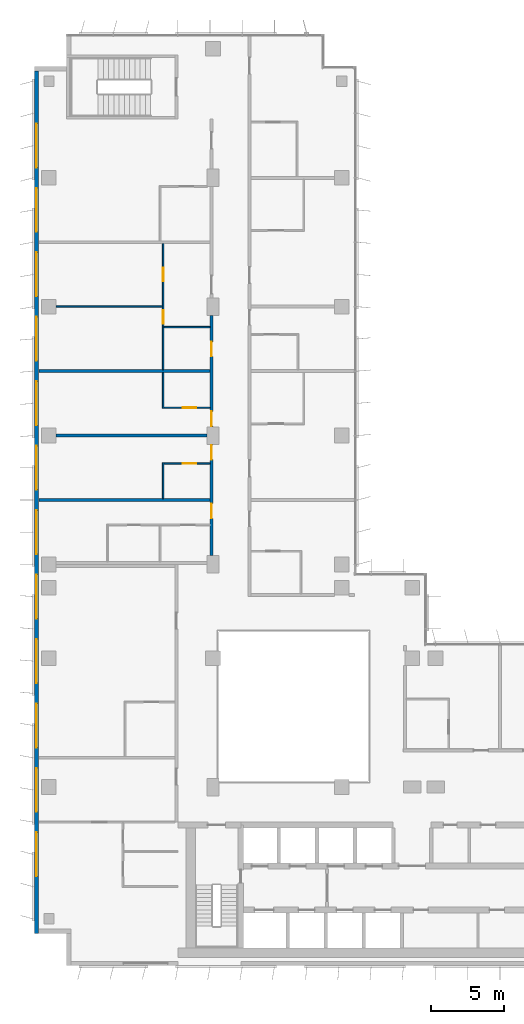
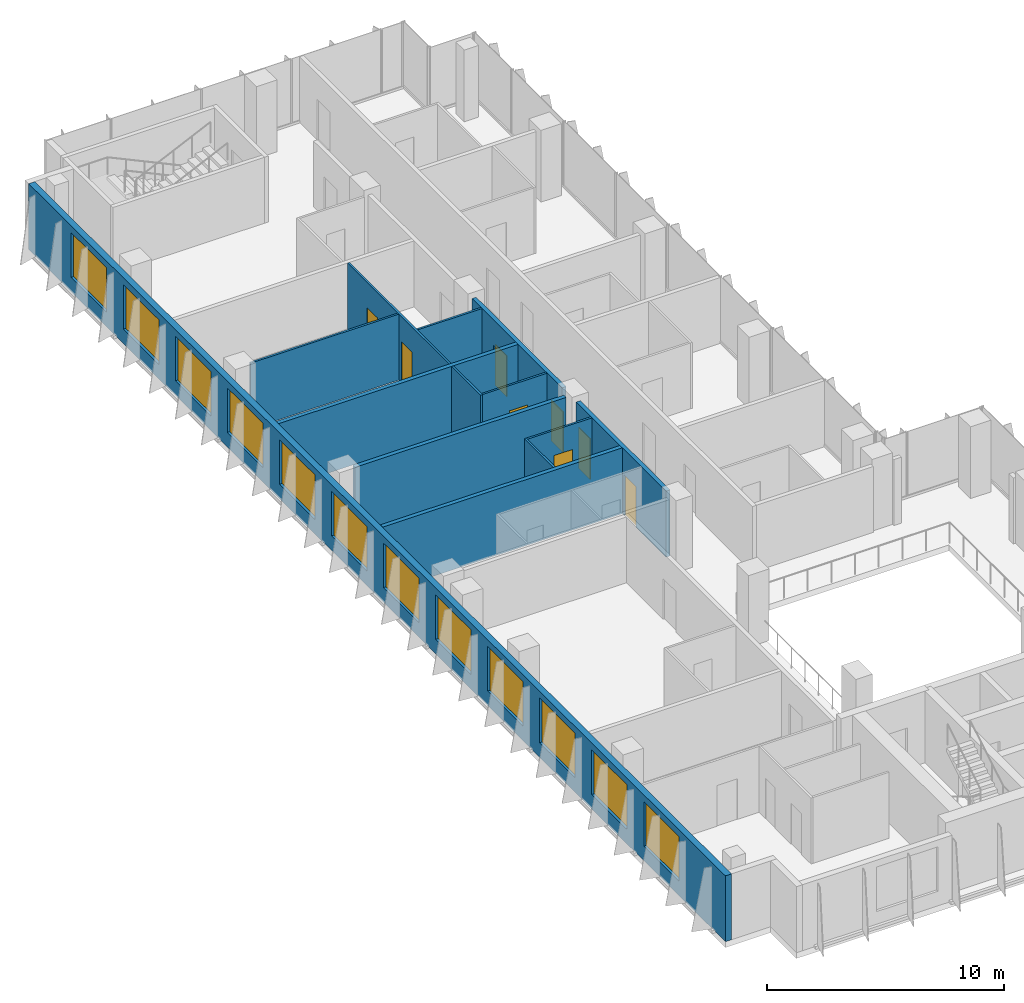
# One storey, part 16 of 21: 13 walls, 12 windows, 8 doors, 20 openings.
"""IFC4 building model written with IfcOpenShell, lengths in metres."""

import ifcopenshell
import ifcopenshell.guid

model = None  # the IFC model being written
_history = None  # IfcOwnerHistory: only IFC2X3 demands one
_inside = {}  # id of a spatial element -> (the spatial element, [elements in it])
_under = {}  # id of a project, library or spatial element -> (it, [spatial elements below it])
_declared = {}  # id of a project -> (the project, [libraries it declares])
_typed = {}  # id of a type object -> (the type object, [elements of that type])
_made_of = {}  # id of a material, layer set ... -> (it, [elements and type objects made of it])


def new_model(schema):
    """Start an empty IFC model of exactly this schema.

    Asked for "IFC4X3", IfcOpenShell would pick the latest addendum, in which some entities
    have other attributes; the version numbers below select the first issue.
    IFC2X3 requires an IfcOwnerHistory on every rooted entity: one is made here for all.
    """
    global model, _history
    if schema == "IFC4X3":
        model = ifcopenshell.file(schema_version=(4, 3, 0, 0))
    else:
        model = ifcopenshell.file(schema=schema)
    _inside.clear()
    _under.clear()
    _declared.clear()
    _typed.clear()
    _made_of.clear()
    _history = None
    if model.schema == "IFC2X3":
        org = make("IfcOrganization", Name="unknown")
        user = make(
            "IfcPersonAndOrganization",
            ThePerson=make("IfcPerson", FamilyName="unknown"),
            TheOrganization=org,
        )
        app = make(
            "IfcApplication",
            ApplicationDeveloper=org,
            Version="unknown",
            ApplicationFullName="unknown",
            ApplicationIdentifier="unknown",
        )
        _history = make(
            "IfcOwnerHistory",
            OwningUser=user,
            OwningApplication=app,
            ChangeAction="ADDED",
            CreationDate=0,
        )
    return model


def make(cls, **values):
    """One entity of the class cls with the attributes given. An attribute that is None is left unset."""
    return model.create_entity(
        cls, **{name: value for name, value in values.items() if value is not None}
    )


def rooted(cls, **values):
    """An entity with a GlobalId (a new one), such as an element, a storey or a relation."""
    return make(cls, GlobalId=ifcopenshell.guid.new(), OwnerHistory=_history, **values)


def si_unit(unit_type, name, prefix=None):
    """IfcSIUnit, for example si_unit("LENGTHUNIT", "METRE", prefix="MILLI")."""
    return make("IfcSIUnit", UnitType=unit_type, Prefix=prefix, Name=name)


def assignment(units):
    """IfcUnitAssignment: the units of a project."""
    return None if units is None else make("IfcUnitAssignment", Units=units)


def point(xyz):
    """IfcCartesianPoint."""
    return None if xyz is None else make("IfcCartesianPoint", Coordinates=xyz)


def direction(xyz):
    """IfcDirection."""
    return None if xyz is None else make("IfcDirection", DirectionRatios=xyz)


def frame(location, z_axis=None, x_axis=None):
    """IfcAxis2Placement3D, a coordinate frame: its origin and axes. An axis left out is left unset."""
    return make(
        "IfcAxis2Placement3D",
        Location=point(location),
        Axis=direction(z_axis),
        RefDirection=direction(x_axis),
    )


def frame_2d(location, x_axis=None):
    """IfcAxis2Placement2D, a coordinate frame in the plane: its origin and x axis."""
    return make(
        "IfcAxis2Placement2D", Location=point(location), RefDirection=direction(x_axis)
    )


def origin():
    """The frame at (0, 0, 0) with its axes left unset."""
    return frame((0.0, 0.0, 0.0))


def place(relative_to, where):
    """IfcLocalPlacement: puts the frame where relative to a parent placement (None: the world)."""
    return make(
        "IfcLocalPlacement", PlacementRelTo=relative_to, RelativePlacement=where
    )


def context(
    kind, dimensions, precision=None, world=None, true_north=None, identifier=None
):
    """IfcGeometricRepresentationContext, for example the 3D "Model" context."""
    return make(
        "IfcGeometricRepresentationContext",
        ContextIdentifier=identifier,
        ContextType=kind,
        CoordinateSpaceDimension=dimensions,
        Precision=precision,
        WorldCoordinateSystem=world,
        TrueNorth=true_north,
    )


def subcontext(parent, identifier, kind, view, scale=None):
    """IfcGeometricRepresentationSubContext, for example "Body" below "Model"."""
    return make(
        "IfcGeometricRepresentationSubContext",
        ContextIdentifier=identifier,
        ContextType=kind,
        ParentContext=parent,
        TargetScale=scale,
        TargetView=view,
    )


def project(units=None, contexts=None):
    """IfcProject with its units and contexts."""
    return rooted(
        "IfcProject",
        Name="project",
        RepresentationContexts=contexts,
        UnitsInContext=assignment(units),
    )


def spatial(cls, under=None, at=None, **own):
    """A site, building, storey or space (cls), placed at a placement, below another one or the project."""
    s = rooted(cls, ObjectPlacement=at, **own)
    if under is not None:
        _under.setdefault(under.id(), (under, []))[1].append(s)
    return s


def profile(cls, at=None, kind="AREA", **sizes):
    """A parametric profile (cls). Its sizes go by their IFC names, for example OverallWidth=200.0."""
    return make(cls, ProfileType=kind, Position=at, **sizes)


def rectangle(**sizes):
    """IfcRectangleProfileDef."""
    return profile("IfcRectangleProfileDef", **sizes)


def extrude(swept, where, along, depth):
    """IfcExtrudedAreaSolid: the profile swept, set in the frame where, extruded along a direction by depth."""
    return make(
        "IfcExtrudedAreaSolid",
        SweptArea=swept,
        Position=where,
        ExtrudedDirection=direction(along),
        Depth=depth,
    )


def shape(context_of_items, identifier, shape_type, items):
    """IfcShapeRepresentation: the items that make up one representation, for example the "Body"."""
    return make(
        "IfcShapeRepresentation",
        ContextOfItems=context_of_items,
        RepresentationIdentifier=identifier,
        RepresentationType=shape_type,
        Items=items,
    )


def material(Name=None, Category=None):
    """IfcMaterial."""
    return make("IfcMaterial", Name=Name, Category=Category)


def layer(
    of_material, thickness, ventilated=None, Name=None, Category=None, Priority=None
):
    """IfcMaterialLayer: one layer of a wall or slab, of a material (None: an air gap)."""
    return make(
        "IfcMaterialLayer",
        Material=of_material,
        LayerThickness=thickness,
        IsVentilated=ventilated,
        Name=Name,
        Category=Category,
        Priority=Priority,
    )


def layer_set(layers, Name=None):
    """IfcMaterialLayerSet."""
    return make("IfcMaterialLayerSet", MaterialLayers=layers, LayerSetName=Name)


def made_of(thing, what):
    """Note that an element or type object is made of a material, layer set ...; save() writes the relation."""
    if what is not None:
        _made_of.setdefault(what.id(), (what, []))[1].append(thing)
    return thing


def type_object(cls, material=None, **own):
    """A type object (cls), such as IfcWallType, which elements share."""
    return made_of(rooted(cls, **own), material)


def element(
    cls,
    number,
    at=None,
    inside=None,
    cuts=None,
    type_object=None,
    material=None,
    context=None,
    identifier="Body",
    shape_type=None,
    held_by="IfcProductDefinitionShape",
    body=None,
    shapes=None,
    **own,
):
    """One element of the class cls, such as IfcWall. Its Tag is "e" and its number.

    at: its placement. inside: the storey or other place that contains it. cuts: it is an
    opening in that element (IfcRelVoidsElement). A single representation is given by context,
    identifier, shape_type and body (its items); several are given by shapes. held_by: the class
    of the entity that holds the representations. save() writes the other relations.
    """
    e = rooted(cls, Tag="e%d" % number, ObjectPlacement=at, **own)
    if body is not None:
        shapes = [shape(context, identifier, shape_type, body)]
    if shapes is not None:
        e.Representation = make(held_by, Representations=shapes)
    if inside is not None:
        _inside.setdefault(inside.id(), (inside, []))[1].append(e)
    if cuts is not None:
        rooted(
            "IfcRelVoidsElement", RelatingBuildingElement=cuts, RelatedOpeningElement=e
        )
    if type_object is not None:
        _typed.setdefault(type_object.id(), (type_object, []))[1].append(e)
    return made_of(e, material)


def fill(opening, filler):
    """IfcRelFillsElement: the door or window that sits in an opening."""
    return rooted(
        "IfcRelFillsElement",
        RelatingOpeningElement=opening,
        RelatedBuildingElement=filler,
    )


def aggregate(whole, parts):
    """IfcRelAggregates: a whole, such as a stair, and the parts it consists of."""
    return rooted("IfcRelAggregates", RelatingObject=whole, RelatedObjects=parts)


def save(model, path):
    """Write the relations noted so far, then the file.

    IfcRelAggregates (storeys below a building ...), IfcRelContainedInSpatialStructure (elements
    in a storey), IfcRelDefinesByType, IfcRelAssociatesMaterial and IfcRelDeclares: one each for
    every whole, place, type object, material and project.
    """
    for whole, parts in _under.values():
        aggregate(whole, parts)
    for where, things in _inside.values():
        rooted(
            "IfcRelContainedInSpatialStructure",
            RelatedElements=things,
            RelatingStructure=where,
        )
    for kind, things in _typed.values():
        rooted("IfcRelDefinesByType", RelatedObjects=things, RelatingType=kind)
    for what, things in _made_of.values():
        rooted("IfcRelAssociatesMaterial", RelatedObjects=things, RelatingMaterial=what)
    for by, libraries in _declared.values():
        rooted("IfcRelDeclares", RelatingContext=by, RelatedDefinitions=libraries)
    model.write(path)


model = new_model("IFC4")

# Units and contexts
model_context = context("Model", 3, precision=1e-05, world=origin(), true_north=direction((0.0, 1.0)))
body_context = subcontext(model_context, "Body", "Model", "MODEL_VIEW")
ifc_project = project(units=[si_unit("LENGTHUNIT", "METRE"), si_unit("AREAUNIT", "SQUARE_METRE"), si_unit("VOLUMEUNIT", "CUBIC_METRE"), si_unit("PLANEANGLEUNIT", "RADIAN"), si_unit("MASSUNIT", "GRAM", prefix="KILO")], contexts=[model_context])

# Site, building, storey
site_placement = place(None, origin())
site = spatial("IfcSite", under=ifc_project, at=site_placement, CompositionType="ELEMENT")
building_placement = place(site_placement, origin())
building = spatial("IfcBuilding", under=site, at=building_placement, Name="Kemantara Hotel Tower", CompositionType="ELEMENT")
storey_placement = place(building_placement, frame((0.0, 0.0, 175.300048828125)))
storey = spatial("IfcBuildingStorey", under=building, at=storey_placement, Name="L43", CompositionType="ELEMENT", Elevation=175.300048828125)

# Wall, openings, windows
ifc_material_1 = material(Name="Bronze anodised aluminium cladding on insulated steel stud wall", Category="steel")
ifc_layer_1 = layer(ifc_material_1, 0.300048828125)
ifc_layer_set_1 = layer_set([ifc_layer_1], Name="Bronze anodised aluminium cladding on insulated steel stud wall")
wall_type_1 = type_object("IfcWallType", Name="BRONZE METAL-CLAD EXTERNAL WALL 300", PredefinedType="STANDARD", material=ifc_layer_set_1)
wall_1_placement = place(storey_placement, frame((0.14990234375, 61.10009765625, 0.0), z_axis=(0.0, 0.0, 1.0), x_axis=(0.0, -1.0, 0.0)))
wall_1 = element("IfcWall", 1, at=wall_1_placement, inside=storey, type_object=wall_type_1, Name="EXTERNAL WALL L43 T3-R05", PredefinedType="STANDARD", context=body_context, shape_type="SweptSolid", body=[
    extrude(rectangle(XDim=58.900146484375, YDim=0.300048828125, at=frame_2d((29.4501953125, 0.0))), origin(), (0.0, 0.0, 1.0), 3.39990234375),
])
opening_1_placement = place(wall_1_placement, frame((3.60009765625, 0.0, 0.75)))
opening_1 = element("IfcOpeningElement", 2, at=opening_1_placement, cuts=wall_1, Name="Opening W1", PredefinedType="OPENING", context=body_context, shape_type="SweptSolid", body=[
    extrude(rectangle(XDim=3.0, YDim=2.300048828125, at=frame_2d((1.5, 1.14990234375))), frame((0.0, 0.159912109375, 0.0), z_axis=(0.0, -1.0, 0.0), x_axis=(1.0, 0.0, 0.0)), (0.0, 0.0, 1.0), 0.320068359375),
])
opening_2_placement = place(wall_1_placement, frame((8.0, 0.0, 0.75)))
opening_2 = element("IfcOpeningElement", 3, at=opening_2_placement, cuts=wall_1, Name="Opening W1", PredefinedType="OPENING", context=body_context, shape_type="SweptSolid", body=[
    extrude(rectangle(XDim=3.0, YDim=2.300048828125, at=frame_2d((1.5, 1.14990234375))), frame((0.0, 0.159912109375, 0.0), z_axis=(0.0, -1.0, 0.0), x_axis=(1.0, 0.0, 0.0)), (0.0, 0.0, 1.0), 0.320068359375),
])
opening_3_placement = place(wall_1_placement, frame((12.39990234375, 0.0, 0.75)))
opening_3 = element("IfcOpeningElement", 4, at=opening_3_placement, cuts=wall_1, Name="Opening W1", PredefinedType="OPENING", context=body_context, shape_type="SweptSolid", body=[
    extrude(rectangle(XDim=3.0, YDim=2.300048828125, at=frame_2d((1.5, 1.14990234375))), frame((0.0, 0.159912109375, 0.0), z_axis=(0.0, -1.0, 0.0), x_axis=(1.0, 0.0, 0.0)), (0.0, 0.0, 1.0), 0.320068359375),
])
opening_4_placement = place(wall_1_placement, frame((16.800048828125, 0.0, 0.75)))
opening_4 = element("IfcOpeningElement", 5, at=opening_4_placement, cuts=wall_1, Name="Opening W1", PredefinedType="OPENING", context=body_context, shape_type="SweptSolid", body=[
    extrude(rectangle(XDim=3.0, YDim=2.300048828125, at=frame_2d((1.5, 1.14990234375))), frame((0.0, 0.159912109375, 0.0), z_axis=(0.0, -1.0, 0.0), x_axis=(1.0, 0.0, 0.0)), (0.0, 0.0, 1.0), 0.320068359375),
])
opening_5_placement = place(wall_1_placement, frame((21.199951171875, 0.0, 0.75)))
opening_5 = element("IfcOpeningElement", 6, at=opening_5_placement, cuts=wall_1, Name="Opening W1", PredefinedType="OPENING", context=body_context, shape_type="SweptSolid", body=[
    extrude(rectangle(XDim=3.0, YDim=2.300048828125, at=frame_2d((1.5, 1.14990234375))), frame((0.0, 0.159912109375, 0.0), z_axis=(0.0, -1.0, 0.0), x_axis=(1.0, 0.0, 0.0)), (0.0, 0.0, 1.0), 0.320068359375),
])
opening_6_placement = place(wall_1_placement, frame((25.60009765625, 0.0, 0.75)))
opening_6 = element("IfcOpeningElement", 7, at=opening_6_placement, cuts=wall_1, Name="Opening W1", PredefinedType="OPENING", context=body_context, shape_type="SweptSolid", body=[
    extrude(rectangle(XDim=3.0, YDim=2.300048828125, at=frame_2d((1.5, 1.14990234375))), frame((0.0, 0.159912109375, 0.0), z_axis=(0.0, -1.0, 0.0), x_axis=(1.0, 0.0, 0.0)), (0.0, 0.0, 1.0), 0.320068359375),
])
opening_7_placement = place(wall_1_placement, frame((30.0, 0.0, 0.75)))
opening_7 = element("IfcOpeningElement", 8, at=opening_7_placement, cuts=wall_1, Name="Opening W1", PredefinedType="OPENING", context=body_context, shape_type="SweptSolid", body=[
    extrude(rectangle(XDim=3.0, YDim=2.300048828125, at=frame_2d((1.5, 1.14990234375))), frame((0.0, 0.159912109375, 0.0), z_axis=(0.0, -1.0, 0.0), x_axis=(1.0, 0.0, 0.0)), (0.0, 0.0, 1.0), 0.320068359375),
])
opening_8_placement = place(wall_1_placement, frame((34.39990234375, 0.0, 0.75)))
opening_8 = element("IfcOpeningElement", 9, at=opening_8_placement, cuts=wall_1, Name="Opening W1", PredefinedType="OPENING", context=body_context, shape_type="SweptSolid", body=[
    extrude(rectangle(XDim=3.0, YDim=2.300048828125, at=frame_2d((1.5, 1.14990234375))), frame((0.0, 0.159912109375, 0.0), z_axis=(0.0, -1.0, 0.0), x_axis=(1.0, 0.0, 0.0)), (0.0, 0.0, 1.0), 0.320068359375),
])
opening_9_placement = place(wall_1_placement, frame((38.800048828125, 0.0, 0.75)))
opening_9 = element("IfcOpeningElement", 10, at=opening_9_placement, cuts=wall_1, Name="Opening W1", PredefinedType="OPENING", context=body_context, shape_type="SweptSolid", body=[
    extrude(rectangle(XDim=3.0, YDim=2.300048828125, at=frame_2d((1.5, 1.14990234375))), frame((0.0, 0.159912109375, 0.0), z_axis=(0.0, -1.0, 0.0), x_axis=(1.0, 0.0, 0.0)), (0.0, 0.0, 1.0), 0.320068359375),
])
opening_10_placement = place(wall_1_placement, frame((43.199951171875, 0.0, 0.75)))
opening_10 = element("IfcOpeningElement", 11, at=opening_10_placement, cuts=wall_1, Name="Opening W1", PredefinedType="OPENING", context=body_context, shape_type="SweptSolid", body=[
    extrude(rectangle(XDim=3.0, YDim=2.300048828125, at=frame_2d((1.5, 1.14990234375))), frame((0.0, 0.159912109375, 0.0), z_axis=(0.0, -1.0, 0.0), x_axis=(1.0, 0.0, 0.0)), (0.0, 0.0, 1.0), 0.320068359375),
])
opening_11_placement = place(wall_1_placement, frame((47.60009765625, 0.0, 0.75)))
opening_11 = element("IfcOpeningElement", 12, at=opening_11_placement, cuts=wall_1, Name="Opening W1", PredefinedType="OPENING", context=body_context, shape_type="SweptSolid", body=[
    extrude(rectangle(XDim=3.0, YDim=2.300048828125, at=frame_2d((1.5, 1.14990234375))), frame((0.0, 0.159912109375, 0.0), z_axis=(0.0, -1.0, 0.0), x_axis=(1.0, 0.0, 0.0)), (0.0, 0.0, 1.0), 0.320068359375),
])
opening_12_placement = place(wall_1_placement, frame((52.0, 0.0, 0.75)))
opening_12 = element("IfcOpeningElement", 13, at=opening_12_placement, cuts=wall_1, Name="Opening W1", PredefinedType="OPENING", context=body_context, shape_type="SweptSolid", body=[
    extrude(rectangle(XDim=3.0, YDim=2.300048828125, at=frame_2d((1.5, 1.14990234375))), frame((0.0, 0.159912109375, 0.0), z_axis=(0.0, -1.0, 0.0), x_axis=(1.0, 0.0, 0.0)), (0.0, 0.0, 1.0), 0.320068359375),
])
ifc_material_2 = material(Name="Low-E tinted double insulated glass in bronze anodised aluminium frame", Category="aluminium")
window_type = type_object("IfcWindowType", Name="CHICAGO WINDOW, TRIPLE PANEL 3000x2300", PartitioningType="TRIPLE_PANEL_VERTICAL", PredefinedType="WINDOW", material=ifc_material_2)
window_1_placement = place(opening_1_placement, origin())
window_1 = element("IfcWindow", 14, at=window_1_placement, inside=storey, type_object=window_type, Name="CHICAGO WINDOW L43 T3-R05-54", OverallHeight=2.300048828125, OverallWidth=3.0, PartitioningType="SINGLE_PANEL", PredefinedType="WINDOW", context=body_context, shape_type="SweptSolid", body=[
    extrude(rectangle(XDim=3.0, YDim=2.300048828125, at=frame_2d((1.5, 1.14990234375))), frame((0.0, 0.030029296875, 0.0), z_axis=(0.0, -1.0, 0.0), x_axis=(1.0, 0.0, 0.0)), (0.0, 0.0, 1.0), 0.06005859375),
])
fill(opening_1, window_1)
window_2_placement = place(opening_2_placement, origin())
window_2 = element("IfcWindow", 15, at=window_2_placement, inside=storey, type_object=window_type, Name="CHICAGO WINDOW L43 T3-R05-98", OverallHeight=2.300048828125, OverallWidth=3.0, PartitioningType="SINGLE_PANEL", PredefinedType="WINDOW", context=body_context, shape_type="SweptSolid", body=[
    extrude(rectangle(XDim=3.0, YDim=2.300048828125, at=frame_2d((1.5, 1.14990234375))), frame((0.0, 0.030029296875, 0.0), z_axis=(0.0, -1.0, 0.0), x_axis=(1.0, 0.0, 0.0)), (0.0, 0.0, 1.0), 0.06005859375),
])
fill(opening_2, window_2)
window_3_placement = place(opening_3_placement, origin())
window_3 = element("IfcWindow", 16, at=window_3_placement, inside=storey, type_object=window_type, Name="CHICAGO WINDOW L43 T3-R05-142", OverallHeight=2.300048828125, OverallWidth=3.0, PartitioningType="SINGLE_PANEL", PredefinedType="WINDOW", context=body_context, shape_type="SweptSolid", body=[
    extrude(rectangle(XDim=3.0, YDim=2.300048828125, at=frame_2d((1.5, 1.14990234375))), frame((0.0, 0.030029296875, 0.0), z_axis=(0.0, -1.0, 0.0), x_axis=(1.0, 0.0, 0.0)), (0.0, 0.0, 1.0), 0.06005859375),
])
fill(opening_3, window_3)
window_4_placement = place(opening_4_placement, origin())
window_4 = element("IfcWindow", 17, at=window_4_placement, inside=storey, type_object=window_type, Name="CHICAGO WINDOW L43 T3-R05-186", OverallHeight=2.300048828125, OverallWidth=3.0, PartitioningType="SINGLE_PANEL", PredefinedType="WINDOW", context=body_context, shape_type="SweptSolid", body=[
    extrude(rectangle(XDim=3.0, YDim=2.300048828125, at=frame_2d((1.5, 1.14990234375))), frame((0.0, 0.030029296875, 0.0), z_axis=(0.0, -1.0, 0.0), x_axis=(1.0, 0.0, 0.0)), (0.0, 0.0, 1.0), 0.06005859375),
])
fill(opening_4, window_4)
window_5_placement = place(opening_5_placement, origin())
window_5 = element("IfcWindow", 18, at=window_5_placement, inside=storey, type_object=window_type, Name="CHICAGO WINDOW L43 T3-R05-230", OverallHeight=2.300048828125, OverallWidth=3.0, PartitioningType="SINGLE_PANEL", PredefinedType="WINDOW", context=body_context, shape_type="SweptSolid", body=[
    extrude(rectangle(XDim=3.0, YDim=2.300048828125, at=frame_2d((1.5, 1.14990234375))), frame((0.0, 0.030029296875, 0.0), z_axis=(0.0, -1.0, 0.0), x_axis=(1.0, 0.0, 0.0)), (0.0, 0.0, 1.0), 0.06005859375),
])
fill(opening_5, window_5)
window_6_placement = place(opening_6_placement, origin())
window_6 = element("IfcWindow", 19, at=window_6_placement, inside=storey, type_object=window_type, Name="CHICAGO WINDOW L43 T3-R05-274", OverallHeight=2.300048828125, OverallWidth=3.0, PartitioningType="SINGLE_PANEL", PredefinedType="WINDOW", context=body_context, shape_type="SweptSolid", body=[
    extrude(rectangle(XDim=3.0, YDim=2.300048828125, at=frame_2d((1.5, 1.14990234375))), frame((0.0, 0.030029296875, 0.0), z_axis=(0.0, -1.0, 0.0), x_axis=(1.0, 0.0, 0.0)), (0.0, 0.0, 1.0), 0.06005859375),
])
fill(opening_6, window_6)
window_7_placement = place(opening_7_placement, origin())
window_7 = element("IfcWindow", 20, at=window_7_placement, inside=storey, type_object=window_type, Name="CHICAGO WINDOW L43 T3-R05-318", OverallHeight=2.300048828125, OverallWidth=3.0, PartitioningType="SINGLE_PANEL", PredefinedType="WINDOW", context=body_context, shape_type="SweptSolid", body=[
    extrude(rectangle(XDim=3.0, YDim=2.300048828125, at=frame_2d((1.5, 1.14990234375))), frame((0.0, 0.030029296875, 0.0), z_axis=(0.0, -1.0, 0.0), x_axis=(1.0, 0.0, 0.0)), (0.0, 0.0, 1.0), 0.06005859375),
])
fill(opening_7, window_7)
window_8_placement = place(opening_8_placement, origin())
window_8 = element("IfcWindow", 21, at=window_8_placement, inside=storey, type_object=window_type, Name="CHICAGO WINDOW L43 T3-R05-362", OverallHeight=2.300048828125, OverallWidth=3.0, PartitioningType="SINGLE_PANEL", PredefinedType="WINDOW", context=body_context, shape_type="SweptSolid", body=[
    extrude(rectangle(XDim=3.0, YDim=2.300048828125, at=frame_2d((1.5, 1.14990234375))), frame((0.0, 0.030029296875, 0.0), z_axis=(0.0, -1.0, 0.0), x_axis=(1.0, 0.0, 0.0)), (0.0, 0.0, 1.0), 0.06005859375),
])
fill(opening_8, window_8)
window_9_placement = place(opening_9_placement, origin())
window_9 = element("IfcWindow", 22, at=window_9_placement, inside=storey, type_object=window_type, Name="CHICAGO WINDOW L43 T3-R05-406", OverallHeight=2.300048828125, OverallWidth=3.0, PartitioningType="SINGLE_PANEL", PredefinedType="WINDOW", context=body_context, shape_type="SweptSolid", body=[
    extrude(rectangle(XDim=3.0, YDim=2.300048828125, at=frame_2d((1.5, 1.14990234375))), frame((0.0, 0.030029296875, 0.0), z_axis=(0.0, -1.0, 0.0), x_axis=(1.0, 0.0, 0.0)), (0.0, 0.0, 1.0), 0.06005859375),
])
fill(opening_9, window_9)
window_10_placement = place(opening_10_placement, origin())
window_10 = element("IfcWindow", 23, at=window_10_placement, inside=storey, type_object=window_type, Name="CHICAGO WINDOW L43 T3-R05-450", OverallHeight=2.300048828125, OverallWidth=3.0, PartitioningType="SINGLE_PANEL", PredefinedType="WINDOW", context=body_context, shape_type="SweptSolid", body=[
    extrude(rectangle(XDim=3.0, YDim=2.300048828125, at=frame_2d((1.5, 1.14990234375))), frame((0.0, 0.030029296875, 0.0), z_axis=(0.0, -1.0, 0.0), x_axis=(1.0, 0.0, 0.0)), (0.0, 0.0, 1.0), 0.06005859375),
])
fill(opening_10, window_10)
window_11_placement = place(opening_11_placement, origin())
window_11 = element("IfcWindow", 24, at=window_11_placement, inside=storey, type_object=window_type, Name="CHICAGO WINDOW L43 T3-R05-494", OverallHeight=2.300048828125, OverallWidth=3.0, PartitioningType="SINGLE_PANEL", PredefinedType="WINDOW", context=body_context, shape_type="SweptSolid", body=[
    extrude(rectangle(XDim=3.0, YDim=2.300048828125, at=frame_2d((1.5, 1.14990234375))), frame((0.0, 0.030029296875, 0.0), z_axis=(0.0, -1.0, 0.0), x_axis=(1.0, 0.0, 0.0)), (0.0, 0.0, 1.0), 0.06005859375),
])
fill(opening_11, window_11)
window_12_placement = place(opening_12_placement, origin())
window_12 = element("IfcWindow", 25, at=window_12_placement, inside=storey, type_object=window_type, Name="CHICAGO WINDOW L43 T3-R05-538", OverallHeight=2.300048828125, OverallWidth=3.0, PartitioningType="SINGLE_PANEL", PredefinedType="WINDOW", context=body_context, shape_type="SweptSolid", body=[
    extrude(rectangle(XDim=3.0, YDim=2.300048828125, at=frame_2d((1.5, 1.14990234375))), frame((0.0, 0.030029296875, 0.0), z_axis=(0.0, -1.0, 0.0), x_axis=(1.0, 0.0, 0.0)), (0.0, 0.0, 1.0), 0.06005859375),
])
fill(opening_12, window_12)

# Wall, openings, doors
ifc_material_3 = material(Name="Gypsum board partition, steel studs and mineral wool, 200 mm", Category="steel")
ifc_layer_2 = layer(ifc_material_3, 0.199951171875)
ifc_layer_set_2 = layer_set([ifc_layer_2], Name="Gypsum board partition, steel studs and mineral wool, 200 mm")
wall_type_2 = type_object("IfcWallType", Name="CORRIDOR WALL 200", PredefinedType="PARTITIONING", material=ifc_layer_set_2)
wall_2_placement = place(storey_placement, frame((12.10009765625, 28.0, 0.0), z_axis=(0.0, 0.0, 1.0), x_axis=(0.0, 1.0, 0.0)))
wall_2 = element("IfcWall", 26, at=wall_2_placement, inside=storey, type_object=wall_type_2, Name="CORRIDOR WALL 200 014", PredefinedType="PARTITIONING", context=body_context, shape_type="SweptSolid", body=[
    extrude(rectangle(XDim=7.599853515625, YDim=0.199951171875, at=frame_2d((3.7998046875, 0.0))), origin(), (0.0, 0.0, 1.0), 3.39990234375),
])
opening_13_placement = place(wall_2_placement, frame((2.5498046875, 0.0, 0.0)))
opening_13 = element("IfcOpeningElement", 27, at=opening_13_placement, cuts=wall_2, Name="Opening F20-020", PredefinedType="OPENING", context=body_context, shape_type="SweptSolid", body=[
    extrude(rectangle(XDim=1.0, YDim=2.10009765625, at=frame_2d((0.5, 1.050048828125))), frame((0.0, 0.10986328125, 0.0), z_axis=(0.0, -1.0, 0.0), x_axis=(1.0, 0.0, 0.0)), (0.0, 0.0, 1.0), 0.219970703125),
])
opening_14_placement = place(wall_2_placement, frame((6.5498046875, 0.0, 0.0)))
opening_14 = element("IfcOpeningElement", 28, at=opening_14_placement, cuts=wall_2, Name="Opening F20-023", PredefinedType="OPENING", context=body_context, shape_type="SweptSolid", body=[
    extrude(rectangle(XDim=1.0, YDim=2.10009765625, at=frame_2d((0.5, 1.050048828125))), frame((0.0, 0.10986328125, 0.0), z_axis=(0.0, -1.0, 0.0), x_axis=(1.0, 0.0, 0.0)), (0.0, 0.0, 1.0), 0.219970703125),
])
ifc_material_4 = material(Name="Hardwood veneer door leaf with steel frame", Category="steel")
door_type_1 = type_object("IfcDoorType", Name="GUEST ROOM DOOR 1000 X 2100 FD30S", OperationType="NOTDEFINED", PredefinedType="DOOR", material=ifc_material_4)
door_1_placement = place(opening_13_placement, origin())
door_1 = element("IfcDoor", 29, at=door_1_placement, inside=storey, type_object=door_type_1, Name="GUEST ROOM DOOR F20-020", OperationType="SINGLE_SWING_RIGHT", OverallHeight=2.10009765625, OverallWidth=1.0, PredefinedType="DOOR", context=body_context, shape_type="SweptSolid", body=[
    extrude(rectangle(XDim=1.0, YDim=2.10009765625, at=frame_2d((0.5, 1.050048828125))), frame((0.0, 0.02490234375, 0.0), z_axis=(0.0, -1.0, 0.0), x_axis=(1.0, 0.0, 0.0)), (0.0, 0.0, 1.0), 0.050048828125),
])
fill(opening_13, door_1)
door_2_placement = place(opening_14_placement, origin())
door_2 = element("IfcDoor", 30, at=door_2_placement, inside=storey, type_object=door_type_1, Name="GUEST ROOM DOOR F20-023", OperationType="SINGLE_SWING_RIGHT", OverallHeight=2.10009765625, OverallWidth=1.0, PredefinedType="DOOR", context=body_context, shape_type="SweptSolid", body=[
    extrude(rectangle(XDim=1.0, YDim=2.10009765625, at=frame_2d((0.5, 1.050048828125))), frame((0.0, 0.02490234375, 0.0), z_axis=(0.0, -1.0, 0.0), x_axis=(1.0, 0.0, 0.0)), (0.0, 0.0, 1.0), 0.050048828125),
])
fill(opening_14, door_2)

wall_3_placement = place(storey_placement, frame((12.10009765625, 36.800048828125, 0.0), z_axis=(0.0, 0.0, 1.0), x_axis=(0.0, 1.0, 0.0)))
wall_3 = element("IfcWall", 31, at=wall_3_placement, inside=storey, type_object=wall_type_2, Name="CORRIDOR WALL 200 015", PredefinedType="PARTITIONING", context=body_context, shape_type="SweptSolid", body=[
    extrude(rectangle(XDim=7.599853515625, YDim=0.199951171875, at=frame_2d((3.7998046875, 0.0))), origin(), (0.0, 0.0, 1.0), 3.39990234375),
])
opening_15_placement = place(wall_3_placement, frame((0.0498046875, 0.0, 0.0)))
opening_15 = element("IfcOpeningElement", 32, at=opening_15_placement, cuts=wall_3, Name="Opening F20-025", PredefinedType="OPENING", context=body_context, shape_type="SweptSolid", body=[
    extrude(rectangle(XDim=1.0, YDim=2.10009765625, at=frame_2d((0.5, 1.050048828125))), frame((0.0, 0.10986328125, 0.0), z_axis=(0.0, -1.0, 0.0), x_axis=(1.0, 0.0, 0.0)), (0.0, 0.0, 1.0), 0.219970703125),
])
opening_16_placement = place(wall_3_placement, frame((4.7998046875, 0.0, 0.0)))
opening_16 = element("IfcOpeningElement", 33, at=opening_16_placement, cuts=wall_3, Name="Opening F20-027", PredefinedType="OPENING", context=body_context, shape_type="SweptSolid", body=[
    extrude(rectangle(XDim=1.0, YDim=2.10009765625, at=frame_2d((0.5, 1.050048828125))), frame((0.0, 0.10986328125, 0.0), z_axis=(0.0, -1.0, 0.0), x_axis=(1.0, 0.0, 0.0)), (0.0, 0.0, 1.0), 0.219970703125),
])
door_3_placement = place(opening_15_placement, origin())
door_3 = element("IfcDoor", 34, at=door_3_placement, inside=storey, type_object=door_type_1, Name="GUEST ROOM DOOR F20-025", OperationType="SINGLE_SWING_LEFT", OverallHeight=2.10009765625, OverallWidth=1.0, PredefinedType="DOOR", context=body_context, shape_type="SweptSolid", body=[
    extrude(rectangle(XDim=1.0, YDim=2.10009765625, at=frame_2d((0.5, 1.050048828125))), frame((0.0, 0.02490234375, 0.0), z_axis=(0.0, -1.0, 0.0), x_axis=(1.0, 0.0, 0.0)), (0.0, 0.0, 1.0), 0.050048828125),
])
fill(opening_15, door_3)
ifc_material_5 = material(Name="Steel door leaf with steel frame", Category="steel")
door_type_2 = type_object("IfcDoorType", Name="SERVICE ROOM DOOR 1000 X 2100 FD60", OperationType="NOTDEFINED", PredefinedType="DOOR", material=ifc_material_5)
door_4_placement = place(opening_16_placement, origin())
door_4 = element("IfcDoor", 35, at=door_4_placement, inside=storey, type_object=door_type_2, Name="SERVICE ROOM DOOR F20-027", OperationType="SINGLE_SWING_LEFT", OverallHeight=2.10009765625, OverallWidth=1.0, PredefinedType="DOOR", context=body_context, shape_type="SweptSolid", body=[
    extrude(rectangle(XDim=1.0, YDim=2.10009765625, at=frame_2d((0.5, 1.050048828125))), frame((0.0, 0.02490234375, 0.0), z_axis=(0.0, -1.0, 0.0), x_axis=(1.0, 0.0, 0.0)), (0.0, 0.0, 1.0), 0.050048828125),
])
fill(opening_16, door_4)

# Walls
ifc_layer_3 = layer(ifc_material_3, 0.199951171875)
ifc_layer_set_3 = layer_set([ifc_layer_3], Name="Gypsum board partition, steel studs and mineral wool, 200 mm")
wall_type_3 = type_object("IfcWallType", Name="GUEST ROOM PARTY WALL 200", PredefinedType="PARTITIONING", material=ifc_layer_set_3)
wall_4_placement = place(storey_placement, frame((0.31005859375, 31.800048828125, 0.0), z_axis=(0.0, 0.0, 1.0), x_axis=(1.0, 0.0, 0.0)))
element("IfcWall", 36, at=wall_4_placement, inside=storey, type_object=wall_type_3, Name="GUEST ROOM PARTY WALL 200 019", PredefinedType="PARTITIONING", context=body_context, shape_type="SweptSolid", body=[
    extrude(rectangle(XDim=11.68994140625, YDim=0.199951171875, at=frame_2d((5.844970703125, 0.0))), origin(), (0.0, 0.0, 1.0), 3.39990234375),
])
wall_5_placement = place(storey_placement, frame((1.5, 36.199951171875, 0.0), z_axis=(0.0, 0.0, 1.0), x_axis=(1.0, 0.0, 0.0)))
element("IfcWall", 37, at=wall_5_placement, inside=storey, type_object=wall_type_3, Name="GUEST ROOM PARTY WALL 200 021", PredefinedType="PARTITIONING", context=body_context, shape_type="SweptSolid", body=[
    extrude(rectangle(XDim=10.2998046875, YDim=0.199951171875, at=frame_2d((5.14990234375, 0.0))), origin(), (0.0, 0.0, 1.0), 3.39990234375),
])
wall_6_placement = place(storey_placement, frame((0.31005859375, 40.60009765625, 0.0), z_axis=(0.0, 0.0, 1.0), x_axis=(1.0, 0.0, 0.0)))
element("IfcWall", 38, at=wall_6_placement, inside=storey, type_object=wall_type_3, Name="GUEST ROOM PARTY WALL 200 022", PredefinedType="PARTITIONING", context=body_context, shape_type="SweptSolid", body=[
    extrude(rectangle(XDim=11.68994140625, YDim=0.199951171875, at=frame_2d((5.844970703125, 0.0))), origin(), (0.0, 0.0, 1.0), 3.39990234375),
])
ifc_material_6 = material(Name="Gypsum board partition on steel studs, 100 mm", Category="steel")
ifc_layer_4 = layer(ifc_material_6, 0.10009765625)
ifc_layer_set_4 = layer_set([ifc_layer_4], Name="Gypsum board partition on steel studs, 100 mm")
wall_type_4 = type_object("IfcWallType", Name="ROOM PARTITION 100", PredefinedType="PARTITIONING", material=ifc_layer_set_4)
wall_7_placement = place(storey_placement, frame((8.800048828125, 31.89990234375, 0.0), z_axis=(0.0, 0.0, 1.0), x_axis=(0.0, 1.0, 0.0)))
element("IfcWall", 39, at=wall_7_placement, inside=storey, type_object=wall_type_4, Name="ROOM PARTITION 100 052", PredefinedType="PARTITIONING", context=body_context, shape_type="SweptSolid", body=[
    extrude(rectangle(XDim=2.4501953125, YDim=0.10009765625, at=frame_2d((1.22509765625, 0.0))), origin(), (0.0, 0.0, 1.0), 3.39990234375),
])
wall_8_placement = place(storey_placement, frame((8.800048828125, 38.050048828125, 0.0), z_axis=(0.0, 0.0, 1.0), x_axis=(0.0, 1.0, 0.0)))
element("IfcWall", 40, at=wall_8_placement, inside=storey, type_object=wall_type_4, Name="ROOM PARTITION 100 053", PredefinedType="PARTITIONING", context=body_context, shape_type="SweptSolid", body=[
    extrude(rectangle(XDim=2.449951171875, YDim=0.10009765625, at=frame_2d((1.22509765625, 0.0))), origin(), (0.0, 0.0, 1.0), 3.39990234375),
])

# Wall, openings, doors
wall_9_placement = place(storey_placement, frame((8.800048828125, 40.699951171875, 0.0), z_axis=(0.0, 0.0, 1.0), x_axis=(0.0, 1.0, 0.0)))
wall_9 = element("IfcWall", 41, at=wall_9_placement, inside=storey, type_object=wall_type_4, Name="ROOM PARTITION 100 054", PredefinedType="PARTITIONING", context=body_context, shape_type="SweptSolid", body=[
    extrude(rectangle(XDim=8.60009765625, YDim=0.10009765625, at=frame_2d((4.300048828125, 0.0))), origin(), (0.0, 0.0, 1.0), 3.39990234375),
])
opening_17_placement = place(wall_9_placement, frame((3.14990234375, 0.0, 0.0)))
opening_17 = element("IfcOpeningElement", 42, at=opening_17_placement, cuts=wall_9, Name="Opening F20-029", PredefinedType="OPENING", context=body_context, shape_type="SweptSolid", body=[
    extrude(rectangle(XDim=0.89990234375, YDim=2.10009765625, at=frame_2d((0.449951171875, 1.050048828125))), frame((0.0, 0.06005859375, 0.0), z_axis=(0.0, -1.0, 0.0), x_axis=(1.0, 0.0, 0.0)), (0.0, 0.0, 1.0), 0.1201171875),
])
opening_18_placement = place(wall_9_placement, frame((6.050048828125, 0.0, 0.0)))
opening_18 = element("IfcOpeningElement", 43, at=opening_18_placement, cuts=wall_9, Name="Opening F20-030", PredefinedType="OPENING", context=body_context, shape_type="SweptSolid", body=[
    extrude(rectangle(XDim=0.89990234375, YDim=2.10009765625, at=frame_2d((0.449951171875, 1.050048828125))), frame((0.0, 0.06005859375, 0.0), z_axis=(0.0, -1.0, 0.0), x_axis=(1.0, 0.0, 0.0)), (0.0, 0.0, 1.0), 0.1201171875),
])
door_type_3 = type_object("IfcDoorType", Name="INTERNAL DOOR 900 X 2100", OperationType="NOTDEFINED", PredefinedType="DOOR", material=ifc_material_4)
door_5_placement = place(opening_17_placement, origin())
door_5 = element("IfcDoor", 44, at=door_5_placement, inside=storey, type_object=door_type_3, Name="INTERNAL DOOR F20-029", OperationType="SINGLE_SWING_LEFT", OverallHeight=2.10009765625, OverallWidth=0.89990234375, PredefinedType="DOOR", context=body_context, shape_type="SweptSolid", body=[
    extrude(rectangle(XDim=0.89990234375, YDim=2.10009765625, at=frame_2d((0.449951171875, 1.050048828125))), frame((0.0, 0.02490234375, 0.0), z_axis=(0.0, -1.0, 0.0), x_axis=(1.0, 0.0, 0.0)), (0.0, 0.0, 1.0), 0.050048828125),
])
fill(opening_17, door_5)
door_6_placement = place(opening_18_placement, origin())
door_6 = element("IfcDoor", 45, at=door_6_placement, inside=storey, type_object=door_type_3, Name="INTERNAL DOOR F20-030", OperationType="SINGLE_SWING_LEFT", OverallHeight=2.10009765625, OverallWidth=0.89990234375, PredefinedType="DOOR", context=body_context, shape_type="SweptSolid", body=[
    extrude(rectangle(XDim=0.89990234375, YDim=2.10009765625, at=frame_2d((0.449951171875, 1.050048828125))), frame((0.0, 0.02490234375, 0.0), z_axis=(0.0, -1.0, 0.0), x_axis=(1.0, 0.0, 0.0)), (0.0, 0.0, 1.0), 0.050048828125),
])
fill(opening_18, door_6)

# Wall, opening, door
wall_10_placement = place(storey_placement, frame((12.0, 34.300048828125, 0.0), z_axis=(0.0, 0.0, 1.0), x_axis=(-1.0, 0.0, 0.0)))
wall_10 = element("IfcWall", 46, at=wall_10_placement, inside=storey, type_object=wall_type_4, Name="ROOM PARTITION 100 055", PredefinedType="PARTITIONING", context=body_context, shape_type="SweptSolid", body=[
    extrude(rectangle(XDim=3.14990234375, YDim=0.10009765625, at=frame_2d((1.574951171875, 0.0))), origin(), (0.0, 0.0, 1.0), 3.39990234375),
])
opening_19_placement = place(wall_10_placement, frame((0.949951171875, 0.0, 0.0)))
opening_19 = element("IfcOpeningElement", 47, at=opening_19_placement, cuts=wall_10, Name="Opening F20-024", PredefinedType="OPENING", context=body_context, shape_type="SweptSolid", body=[
    extrude(rectangle(XDim=0.89990234375, YDim=2.10009765625, at=frame_2d((0.449951171875, 1.050048828125))), frame((0.0, 0.06005859375, 0.0), z_axis=(0.0, -1.0, 0.0), x_axis=(1.0, 0.0, 0.0)), (0.0, 0.0, 1.0), 0.1201171875),
])
door_type_4 = type_object("IfcDoorType", Name="BATHROOM DOOR 900 X 2100", OperationType="NOTDEFINED", PredefinedType="DOOR", material=ifc_material_4)
door_7_placement = place(opening_19_placement, origin())
door_7 = element("IfcDoor", 48, at=door_7_placement, inside=storey, type_object=door_type_4, Name="BATHROOM DOOR F20-024", OperationType="SINGLE_SWING_LEFT", OverallHeight=2.10009765625, OverallWidth=0.89990234375, PredefinedType="DOOR", context=body_context, shape_type="SweptSolid", body=[
    extrude(rectangle(XDim=0.89990234375, YDim=2.10009765625, at=frame_2d((0.449951171875, 1.050048828125))), frame((0.0, 0.02490234375, 0.0), z_axis=(0.0, -1.0, 0.0), x_axis=(1.0, 0.0, 0.0)), (0.0, 0.0, 1.0), 0.050048828125),
])
fill(opening_19, door_7)

wall_11_placement = place(storey_placement, frame((8.85009765625, 38.10009765625, 0.0), z_axis=(0.0, 0.0, 1.0), x_axis=(1.0, 0.0, 0.0)))
wall_11 = element("IfcWall", 49, at=wall_11_placement, inside=storey, type_object=wall_type_4, Name="ROOM PARTITION 100 056", PredefinedType="PARTITIONING", context=body_context, shape_type="SweptSolid", body=[
    extrude(rectangle(XDim=3.14990234375, YDim=0.10009765625, at=frame_2d((1.574951171875, 0.0))), origin(), (0.0, 0.0, 1.0), 3.39990234375),
])
opening_20_placement = place(wall_11_placement, frame((1.300048828125, 0.0, 0.0)))
opening_20 = element("IfcOpeningElement", 50, at=opening_20_placement, cuts=wall_11, Name="Opening F20-026", PredefinedType="OPENING", context=body_context, shape_type="SweptSolid", body=[
    extrude(rectangle(XDim=0.89990234375, YDim=2.10009765625, at=frame_2d((0.449951171875, 1.050048828125))), frame((0.0, 0.06005859375, 0.0), z_axis=(0.0, -1.0, 0.0), x_axis=(1.0, 0.0, 0.0)), (0.0, 0.0, 1.0), 0.1201171875),
])
door_8_placement = place(opening_20_placement, origin())
door_8 = element("IfcDoor", 51, at=door_8_placement, inside=storey, type_object=door_type_4, Name="BATHROOM DOOR F20-026", OperationType="SINGLE_SWING_RIGHT", OverallHeight=2.10009765625, OverallWidth=0.89990234375, PredefinedType="DOOR", context=body_context, shape_type="SweptSolid", body=[
    extrude(rectangle(XDim=0.89990234375, YDim=2.10009765625, at=frame_2d((0.449951171875, 1.050048828125))), frame((0.0, 0.02490234375, 0.0), z_axis=(0.0, -1.0, 0.0), x_axis=(1.0, 0.0, 0.0)), (0.0, 0.0, 1.0), 0.050048828125),
])
fill(opening_20, door_8)

# Walls
wall_12_placement = place(storey_placement, frame((8.85009765625, 43.60009765625, 0.0), z_axis=(0.0, 0.0, 1.0), x_axis=(1.0, 0.0, 0.0)))
element("IfcWall", 52, at=wall_12_placement, inside=storey, type_object=wall_type_4, Name="ROOM PARTITION 100 057", PredefinedType="PARTITIONING", context=body_context, shape_type="SweptSolid", body=[
    extrude(rectangle(XDim=3.14990234375, YDim=0.10009765625, at=frame_2d((1.574951171875, 0.0))), origin(), (0.0, 0.0, 1.0), 3.39990234375),
])
wall_13_placement = place(storey_placement, frame((1.5, 45.0, 0.0), z_axis=(0.0, 0.0, 1.0), x_axis=(1.0, 0.0, 0.0)))
element("IfcWall", 53, at=wall_13_placement, inside=storey, type_object=wall_type_4, Name="ROOM PARTITION 100 058", PredefinedType="PARTITIONING", context=body_context, shape_type="SweptSolid", body=[
    extrude(rectangle(XDim=7.25, YDim=0.10009765625, at=frame_2d((3.625, 0.0))), origin(), (0.0, 0.0, 1.0), 3.39990234375),
])

save(model, "model.ifc")
